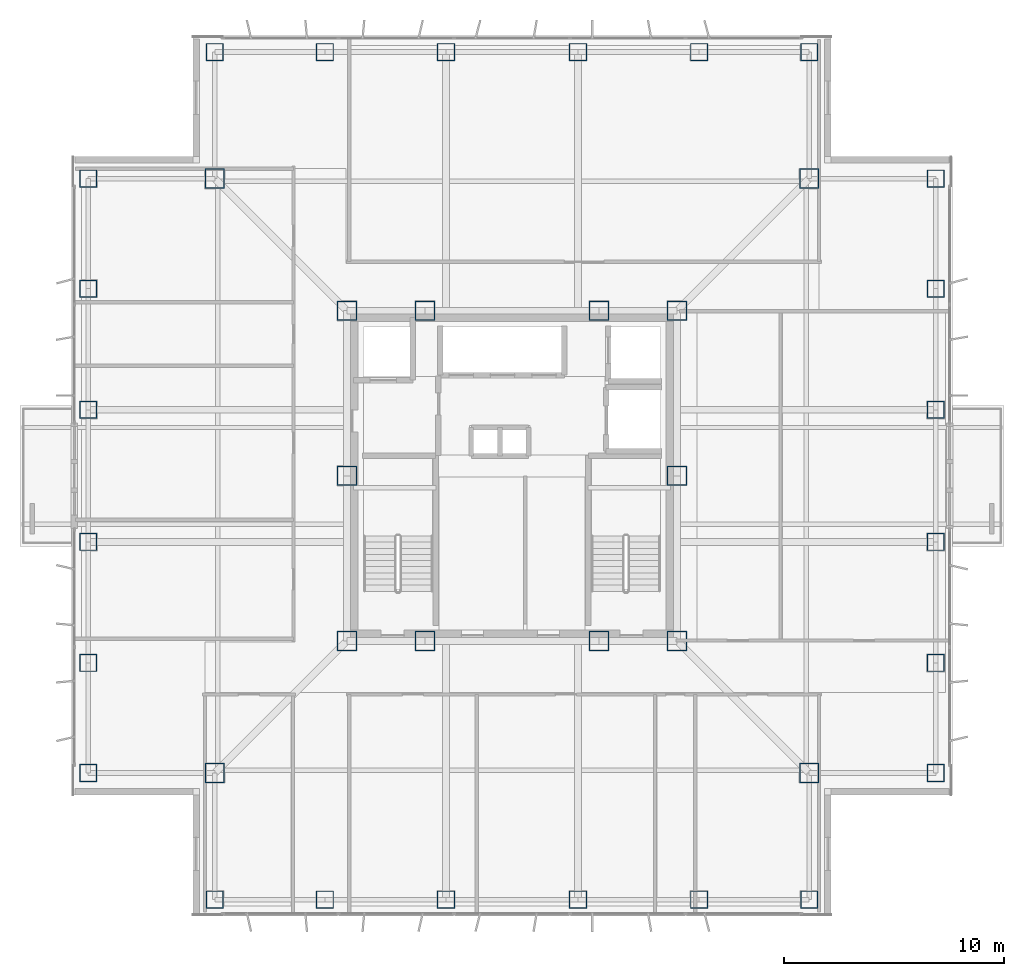
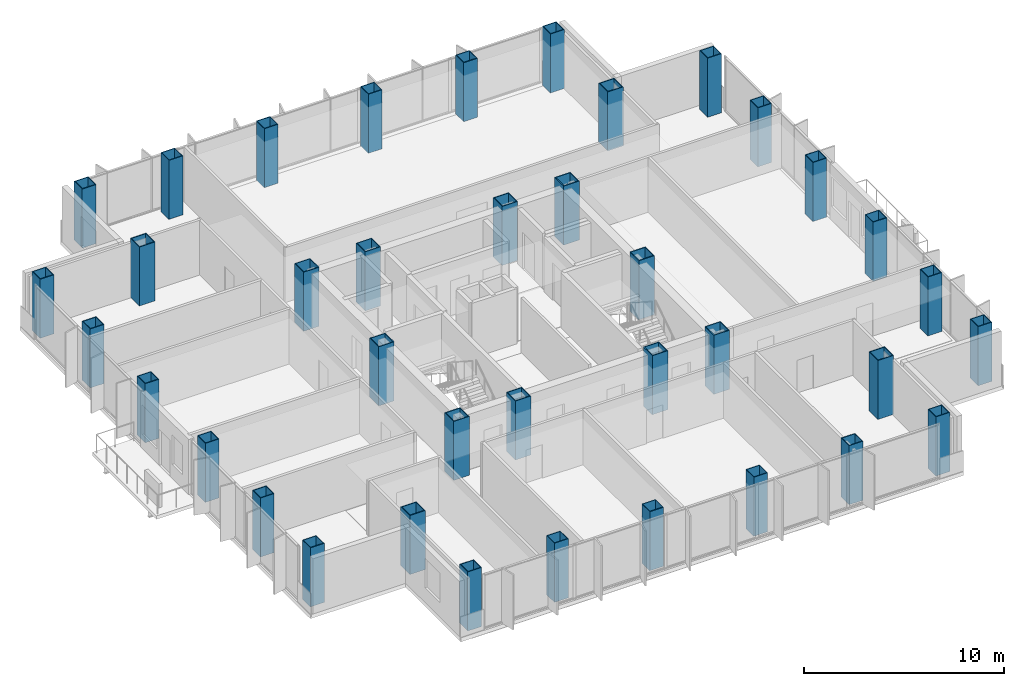
# One storey, part 1 of 15: 38 columns.
"""IFC4 building model written with IfcOpenShell, lengths in metres."""

from ifc_helpers import new_model, si_unit, direction, frame, origin, origin_2d, place, context, subcontext, project, spatial, hollow_rectangle, extrude, material, material_profile, profile_set, type_object, element, save


model = new_model("IFC4")

# Units and contexts
model_context = context("Model", 3, precision=1e-05, world=origin(), true_north=direction((0.0, 1.0)))
body_context = subcontext(model_context, "Body", "Model", "MODEL_VIEW")
ifc_project = project(units=[si_unit("LENGTHUNIT", "METRE"), si_unit("AREAUNIT", "SQUARE_METRE"), si_unit("VOLUMEUNIT", "CUBIC_METRE"), si_unit("PLANEANGLEUNIT", "RADIAN"), si_unit("MASSUNIT", "GRAM", prefix="KILO")], contexts=[model_context])

# Site, building, storey
site_placement = place(None, origin())
site = spatial("IfcSite", under=ifc_project, at=site_placement, CompositionType="ELEMENT")
building_placement = place(site_placement, origin())
building = spatial("IfcBuilding", under=site, at=building_placement, Name="Trevonay Congress Spire", CompositionType="ELEMENT")
storey_placement = place(building_placement, frame((0.0, 0.0, 216.60009765625)))
storey = spatial("IfcBuildingStorey", under=building, at=storey_placement, Name="L56", CompositionType="ELEMENT", Elevation=216.60009765625)

# Columns
ifc_material = material(Name="Steel ASTM A572 Grade 50", Category="steel")
ifc_material_profile_1 = material_profile(ifc_material, hollow_rectangle(XDim=0.89990234375, YDim=0.89990234375, WallThickness=0.044921875, at=origin_2d()), Name="BOX 900x900x45")
ifc_profile_set_1 = profile_set([ifc_material_profile_1], Name="Steel ASTM A572 Grade 50")
column_type_1 = type_object("IfcColumnType", Name="COL-CORE-BOX900", PredefinedType="COLUMN", material=ifc_profile_set_1)
for number, where, z_axis, x_axis, name in (
    (1, (-7.5, -7.5, 0.0), (0.0, 0.0, 1.0), (1.0, 0.0, 0.0), "L56 column C04 at CC-SW"),
    (2, (-3.949951171875, -7.5, 0.0), (0.0, 0.0, 1.0), (1.0, 0.0, 0.0), "L56 column C04 at CC-SMW"),
    (3, (3.949951171875, -7.5, 0.0), (0.0, 0.0, 1.0), (1.0, 0.0, 0.0), "L56 column C04 at CC-SME"),
    (4, (7.5, -7.5, 0.0), (0.0, 0.0, 1.0), (1.0, 0.0, 0.0), "L56 column C04 at CC-SE"),
    (5, (7.5, 0.0, 0.0), (0.0, 0.0, 1.0), (1.0, 0.0, 0.0), "L56 column C04 at CC-E"),
    (6, (7.5, 7.5, 0.0), (0.0, 0.0, 1.0), (1.0, 0.0, 0.0), "L56 column C04 at CC-NE"),
    (7, (3.949951171875, 7.5, 0.0), (0.0, 0.0, 1.0), (1.0, 0.0, 0.0), "L56 column C04 at CC-NME"),
    (8, (-3.949951171875, 7.5, 0.0), (0.0, 0.0, 1.0), (1.0, 0.0, 0.0), "L56 column C04 at CC-NMW"),
    (9, (-7.5, 7.5, 0.0), (0.0, 0.0, 1.0), (1.0, 0.0, 0.0), "L56 column C04 at CC-NW"),
    (10, (-7.5, 0.0, 0.0), (0.0, 0.0, 1.0), (1.0, 0.0, 0.0), "L56 column C04 at CC-W"),
):
    element("IfcColumn", number, at=place(storey_placement, frame(where, z_axis=z_axis, x_axis=x_axis)), inside=storey, type_object=column_type_1, Name=name, PredefinedType="COLUMN", context=body_context, shape_type="SweptSolid", body=[
        extrude(hollow_rectangle(XDim=0.89990234375, YDim=0.89990234375, WallThickness=0.044921875, at=origin_2d()), origin(), (0.0, 0.0, 1.0), 3.599853515625),
    ])
ifc_material_profile_2 = material_profile(ifc_material, hollow_rectangle(XDim=0.800048828125, YDim=0.800048828125, WallThickness=0.0400390625, at=origin_2d()), Name="BOX 800x800x40")
ifc_profile_set_2 = profile_set([ifc_material_profile_2], Name="Steel ASTM A572 Grade 50")
column_type_2 = type_object("IfcColumnType", Name="COL-TUBE-BOX800", PredefinedType="COLUMN", material=ifc_profile_set_2)
for number, where, z_axis, x_axis, name in (
    (11, (-13.5, -19.25, 0.0), (0.0, 0.0, 1.0), (1.0, 0.0, 0.0), "L56 column C16 at TS-1"),
    (12, (-13.5, 19.25, 0.0), (0.0, 0.0, 1.0), (1.0, 0.0, 0.0), "L56 column C16 at TN-1"),
    (13, (-19.25, -13.5, 0.0), (0.0, 0.0, 1.0), (1.0, 0.0, 0.0), "L56 column C16 at TW-1"),
    (14, (19.25, -13.5, 0.0), (0.0, 0.0, 1.0), (1.0, 0.0, 0.0), "L56 column C16 at TE-1"),
    (15, (-8.5, -19.25, 0.0), (0.0, 0.0, 1.0), (1.0, 0.0, 0.0), "L56 column C16 at TS-2"),
    (16, (-8.5, 19.25, 0.0), (0.0, 0.0, 1.0), (1.0, 0.0, 0.0), "L56 column C16 at TN-2"),
    (17, (-19.25, -8.5, 0.0), (0.0, 0.0, 1.0), (1.0, 0.0, 0.0), "L56 column C16 at TW-2"),
    (18, (19.25, -8.5, 0.0), (0.0, 0.0, 1.0), (1.0, 0.0, 0.0), "L56 column C16 at TE-2"),
    (19, (-3.0, -19.25, 0.0), (0.0, 0.0, 1.0), (1.0, 0.0, 0.0), "L56 column C16 at TS-3"),
    (20, (-3.0, 19.25, 0.0), (0.0, 0.0, 1.0), (1.0, 0.0, 0.0), "L56 column C16 at TN-3"),
    (21, (-19.25, -3.0, 0.0), (0.0, 0.0, 1.0), (1.0, 0.0, 0.0), "L56 column C16 at TW-3"),
    (22, (19.25, -3.0, 0.0), (0.0, 0.0, 1.0), (1.0, 0.0, 0.0), "L56 column C16 at TE-3"),
    (23, (3.0, -19.25, 0.0), (0.0, 0.0, 1.0), (1.0, 0.0, 0.0), "L56 column C16 at TS-4"),
    (24, (3.0, 19.25, 0.0), (0.0, 0.0, 1.0), (1.0, 0.0, 0.0), "L56 column C16 at TN-4"),
    (25, (-19.25, 3.0, 0.0), (0.0, 0.0, 1.0), (1.0, 0.0, 0.0), "L56 column C16 at TW-4"),
    (26, (19.25, 3.0, 0.0), (0.0, 0.0, 1.0), (1.0, 0.0, 0.0), "L56 column C16 at TE-4"),
    (27, (8.5, -19.25, 0.0), (0.0, 0.0, 1.0), (1.0, 0.0, 0.0), "L56 column C16 at TS-5"),
    (28, (8.5, 19.25, 0.0), (0.0, 0.0, 1.0), (1.0, 0.0, 0.0), "L56 column C16 at TN-5"),
    (29, (-19.25, 8.5, 0.0), (0.0, 0.0, 1.0), (1.0, 0.0, 0.0), "L56 column C16 at TW-5"),
    (30, (19.25, 8.5, 0.0), (0.0, 0.0, 1.0), (1.0, 0.0, 0.0), "L56 column C16 at TE-5"),
    (31, (13.5, -19.25, 0.0), (0.0, 0.0, 1.0), (1.0, 0.0, 0.0), "L56 column C16 at TS-6"),
    (32, (13.5, 19.25, 0.0), (0.0, 0.0, 1.0), (1.0, 0.0, 0.0), "L56 column C16 at TN-6"),
    (33, (-19.25, 13.5, 0.0), (0.0, 0.0, 1.0), (1.0, 0.0, 0.0), "L56 column C16 at TW-6"),
    (34, (19.25, 13.5, 0.0), (0.0, 0.0, 1.0), (1.0, 0.0, 0.0), "L56 column C16 at TE-6"),
):
    element("IfcColumn", number, at=place(storey_placement, frame(where, z_axis=z_axis, x_axis=x_axis)), inside=storey, type_object=column_type_2, Name=name, PredefinedType="COLUMN", context=body_context, shape_type="SweptSolid", body=[
        extrude(hollow_rectangle(XDim=0.800048828125, YDim=0.800048828125, WallThickness=0.0400390625, at=origin_2d()), origin(), (0.0, 0.0, 1.0), 3.599853515625),
    ])
ifc_material_profile_3 = material_profile(ifc_material, hollow_rectangle(XDim=0.89990234375, YDim=0.89990234375, WallThickness=0.044921875, at=origin_2d()), Name="BOX 900x900x45")
ifc_profile_set_3 = profile_set([ifc_material_profile_3], Name="Steel ASTM A572 Grade 50")
column_type_3 = type_object("IfcColumnType", Name="COL-TUBE-BOX900", PredefinedType="COLUMN", material=ifc_profile_set_3)
for number, where, z_axis, x_axis, name in (
    (35, (-13.5, -13.5, 0.0), (0.0, 0.0, 1.0), (1.0, 0.0, 0.0), "L56 column C15 at NC-SW"),
    (36, (13.5, -13.5, 0.0), (0.0, 0.0, 1.0), (1.0, 0.0, 0.0), "L56 column C15 at NC-SE"),
    (37, (13.5, 13.5, 0.0), (0.0, 0.0, 1.0), (1.0, 0.0, 0.0), "L56 column C15 at NC-NE"),
    (38, (-13.5, 13.5, 0.0), (0.0, 0.0, 1.0), (1.0, 0.0, 0.0), "L56 column C15 at NC-NW"),
):
    element("IfcColumn", number, at=place(storey_placement, frame(where, z_axis=z_axis, x_axis=x_axis)), inside=storey, type_object=column_type_3, Name=name, PredefinedType="COLUMN", context=body_context, shape_type="SweptSolid", body=[
        extrude(hollow_rectangle(XDim=0.89990234375, YDim=0.89990234375, WallThickness=0.044921875, at=origin_2d()), origin(), (0.0, 0.0, 1.0), 3.599853515625),
    ])

save(model, "model.ifc")
